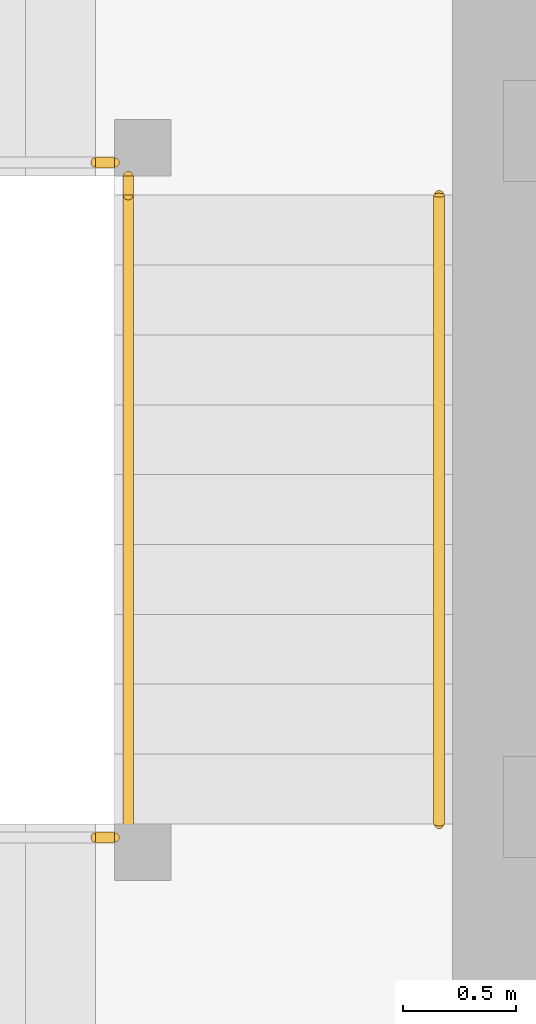
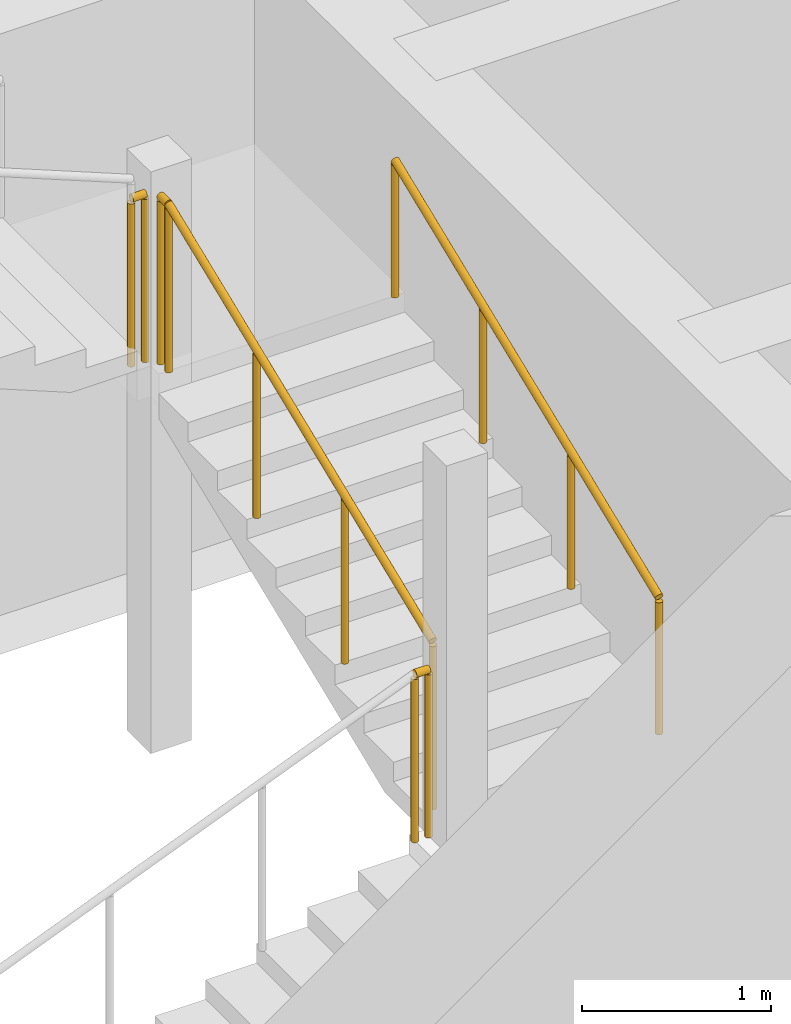
# One storey, part 36 of 40: 5 railings.
"""IFC4 building model written with IfcOpenShell, lengths in metres."""

from ifc_helpers import new_model, si_unit, direction, frame, origin, origin_2d, place, context, subcontext, project, spatial, circle, extrude, material, type_object, element, save


model = new_model("IFC4")

# Units and contexts
model_context = context("Model", 3, precision=1e-05, world=origin(), true_north=direction((0.0, 1.0)))
body_context = subcontext(model_context, "Body", "Model", "MODEL_VIEW")
ifc_project = project(units=[si_unit("LENGTHUNIT", "METRE"), si_unit("AREAUNIT", "SQUARE_METRE"), si_unit("VOLUMEUNIT", "CUBIC_METRE"), si_unit("PLANEANGLEUNIT", "RADIAN"), si_unit("MASSUNIT", "GRAM", prefix="KILO")], contexts=[model_context])

# Site, building, storey
site_placement = place(None, origin())
site = spatial("IfcSite", under=ifc_project, at=site_placement, CompositionType="ELEMENT")
building_placement = place(site_placement, origin())
building = spatial("IfcBuilding", under=site, at=building_placement, Name="Rekha Terrace Tower", CompositionType="ELEMENT")
storey_placement = place(building_placement, frame((0.0, 0.0, 140.300048828125)))
storey = spatial("IfcBuildingStorey", under=building, at=storey_placement, Name="L35", CompositionType="ELEMENT", Elevation=140.300048828125)

# Railings
ifc_material_1 = material(Name="Stainless steel balustrade", Category="steel")
railing_type_1 = type_object("IfcRailingType", Name="GR1 1100 stair guard", PredefinedType="GUARDRAIL", material=ifc_material_1)
railing_1_placement = place(storey_placement, frame((30.135009765625, 41.324951171875, 1.375)))
element("IfcRailing", 1, at=railing_1_placement, inside=storey, type_object=railing_type_1, Name="Guard ST4 L35 flight 2", PredefinedType="GUARDRAIL", context=body_context, shape_type="SweptSolid", body=[
    extrude(circle(Radius=0.02392578125, at=origin_2d()), frame((0.0, 0.0, 1.076171875), z_axis=(0.0, 0.927443287984, 0.373963831907), x_axis=(-1.0, 0.0, 0.0)), (0.0, 0.0, 1.0), 3.00830078125),
    extrude(circle(Radius=0.02099609375, at=origin_2d()), origin(), (0.0, 0.0, 1.0), 1.052001953125),
    extrude(circle(Radius=0.02099609375, at=origin_2d()), frame((0.0, 0.929931640625, 0.375)), (0.0, 0.0, 1.0), 1.052001953125),
    extrude(circle(Radius=0.02099609375, at=origin_2d()), frame((0.0, 1.860107421875, 0.75)), (0.0, 0.0, 1.0), 1.052001953125),
    extrude(circle(Radius=0.02099609375, at=origin_2d()), frame((0.0, 2.7900390625, 1.125)), (0.0, 0.0, 1.0), 1.052001953125),
])
railing_2_placement = place(storey_placement, frame((29.989990234375, 41.264892578125, 1.25)))
element("IfcRailing", 2, at=railing_2_placement, inside=storey, type_object=railing_type_1, Name="Guard ST4 L35 landing 1", PredefinedType="GUARDRAIL", context=body_context, shape_type="SweptSolid", body=[
    extrude(circle(Radius=0.02392578125, at=origin_2d()), frame((0.0, 0.0, 1.076171875), z_axis=(1.0, 0.0, 0.0), x_axis=(0.0, 1.0, 0.0)), (0.0, 0.0, 1.0), 0.0849609375),
    extrude(circle(Radius=0.02099609375, at=origin_2d()), origin(), (0.0, 0.0, 1.0), 1.052001953125),
    extrude(circle(Radius=0.02099609375, at=origin_2d()), frame((0.0849609375, 0.0, 0.0)), (0.0, 0.0, 1.0), 1.052001953125),
])
railing_3_placement = place(storey_placement, frame((30.135009765625, 44.114990234375, 2.5)))
element("IfcRailing", 3, at=railing_3_placement, inside=storey, type_object=railing_type_1, Name="Guard ST4 L35 landing 2", PredefinedType="GUARDRAIL", context=body_context, shape_type="SweptSolid", body=[
    extrude(circle(Radius=0.02392578125, at=origin_2d()), frame((0.0, 0.0, 1.076171875), z_axis=(0.0, 1.0, 0.0), x_axis=(-1.0, 0.0, 0.0)), (0.0, 0.0, 1.0), 0.0849609375),
    extrude(circle(Radius=0.02099609375, at=origin_2d()), origin(), (0.0, 0.0, 1.0), 1.052001953125),
    extrude(circle(Radius=0.02099609375, at=origin_2d()), frame((0.0, 0.0849609375, 0.0)), (0.0, 0.0, 1.0), 1.052001953125),
])
railing_4_placement = place(storey_placement, frame((29.989990234375, 44.260009765625, 2.5)))
element("IfcRailing", 4, at=railing_4_placement, inside=storey, type_object=railing_type_1, Name="Guard ST4 L35 landing 3", PredefinedType="GUARDRAIL", context=body_context, shape_type="SweptSolid", body=[
    extrude(circle(Radius=0.02392578125, at=origin_2d()), frame((0.0, 0.0, 1.076171875), z_axis=(1.0, 0.0, 0.0), x_axis=(0.0, 1.0, 0.0)), (0.0, 0.0, 1.0), 0.0849609375),
    extrude(circle(Radius=0.02099609375, at=origin_2d()), origin(), (0.0, 0.0, 1.0), 1.052001953125),
    extrude(circle(Radius=0.02099609375, at=origin_2d()), frame((0.0849609375, 0.0, 0.0)), (0.0, 0.0, 1.0), 1.052001953125),
])
ifc_material_2 = material(Name="Stainless steel tube", Category="steel")
railing_type_2 = type_object("IfcRailingType", Name="HR1 900 stair handrail", PredefinedType="HANDRAIL", material=ifc_material_2)
railing_5_placement = place(storey_placement, frame((31.514892578125, 41.324951171875, 1.375)))
element("IfcRailing", 5, at=railing_5_placement, inside=storey, type_object=railing_type_2, Name="Handrail ST4 L35 flight 2", PredefinedType="HANDRAIL", context=body_context, shape_type="SweptSolid", body=[
    extrude(circle(Radius=0.02392578125, at=origin_2d()), frame((0.0, 0.0, 0.8759765625), z_axis=(0.0, 0.927443287984, 0.373963831907), x_axis=(-1.0, 0.0, 0.0)), (0.0, 0.0, 1.0), 3.00830078125),
    extrude(circle(Radius=0.02099609375, at=origin_2d()), origin(), (0.0, 0.0, 1.0), 0.851806640625),
    extrude(circle(Radius=0.02099609375, at=origin_2d()), frame((0.0, 0.929931640625, 0.375)), (0.0, 0.0, 1.0), 0.851806640625),
    extrude(circle(Radius=0.02099609375, at=origin_2d()), frame((0.0, 1.860107421875, 0.75)), (0.0, 0.0, 1.0), 0.851806640625),
    extrude(circle(Radius=0.02099609375, at=origin_2d()), frame((0.0, 2.7900390625, 1.125)), (0.0, 0.0, 1.0), 0.851806640625),
])

save(model, "model.ifc")
